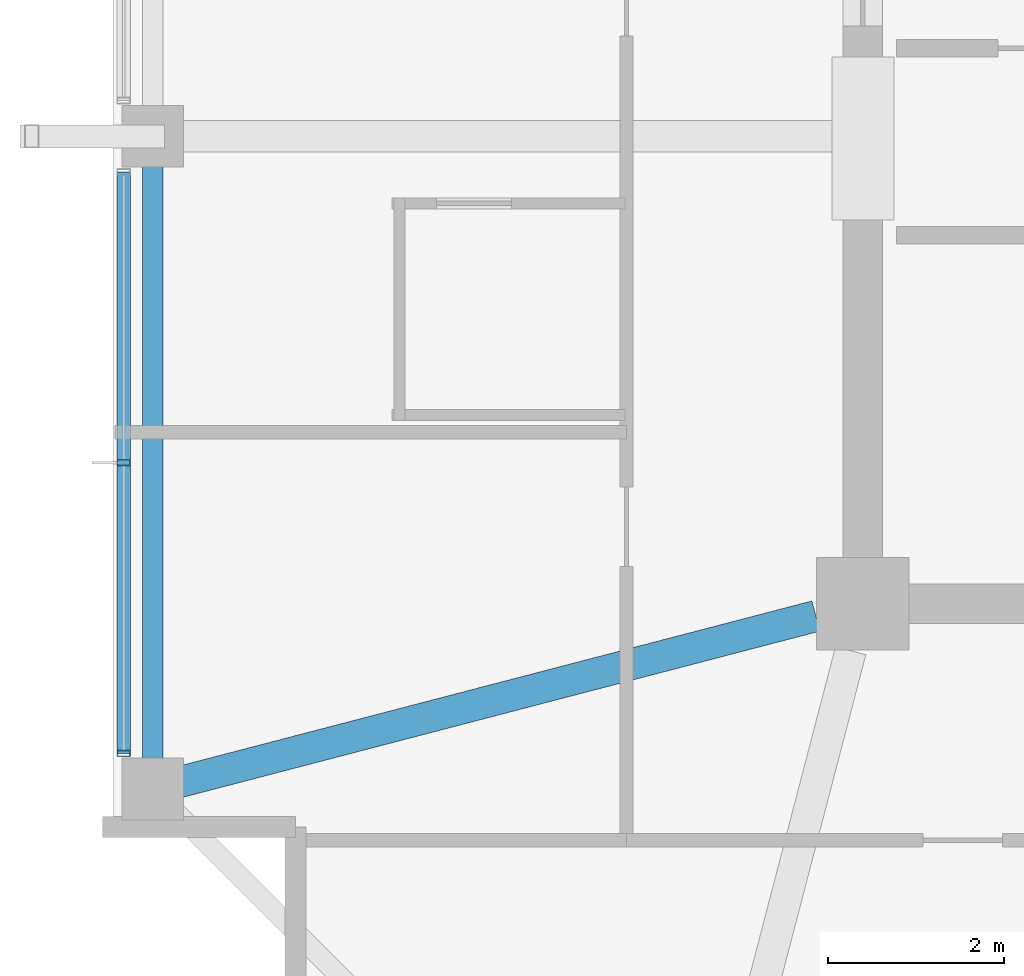
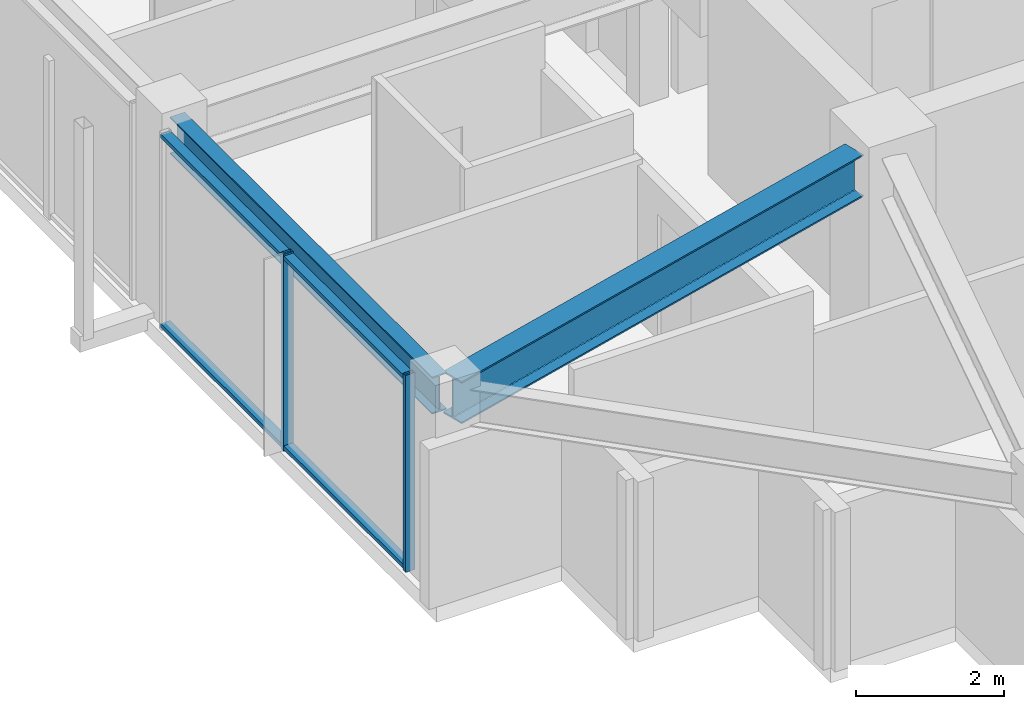
# One storey, part 4 of 31: 4 members, 2 beams, 1 element without a shape of its own.
"""IFC4 building model written with IfcOpenShell, lengths in metres."""

from ifc_helpers import new_model, si_unit, direction, frame, origin, origin_2d, place, context, subcontext, project, spatial, hollow_rectangle, i_section, extrude, material, material_profile, profile_set, type_object, element, aggregate, save


model = new_model("IFC4")

# Units and contexts
model_context = context("Model", 3, precision=1e-05, world=origin(), true_north=direction((0.0, 1.0)))
body_context = subcontext(model_context, "Body", "Model", "MODEL_VIEW")
ifc_project = project(units=[si_unit("LENGTHUNIT", "METRE"), si_unit("AREAUNIT", "SQUARE_METRE"), si_unit("VOLUMEUNIT", "CUBIC_METRE"), si_unit("PLANEANGLEUNIT", "RADIAN"), si_unit("MASSUNIT", "GRAM", prefix="KILO")], contexts=[model_context])

# Site, building, storey
site_placement = place(None, origin())
site = spatial("IfcSite", under=ifc_project, at=site_placement, CompositionType="ELEMENT")
building_placement = place(site_placement, origin())
building = spatial("IfcBuilding", under=site, at=building_placement, Name="Kolvaren Belvedere", CompositionType="ELEMENT")
storey_placement = place(building_placement, frame((0.0, 0.0, 247.89990234375)))
storey = spatial("IfcBuildingStorey", under=building, at=storey_placement, Name="L72", CompositionType="ELEMENT", Elevation=247.89990234375)

# Beams
ifc_material_1 = material(Name="Structural steel ASTM A992 Grade 50", Category="steel")
ifc_material_profile_1 = material_profile(ifc_material_1, i_section(OverallWidth=0.35498046875, OverallDepth=0.696044921875, WebThickness=0.015380859375, FlangeThickness=0.02490234375, FilletRadius=0.02197265625, at=origin_2d()), Name="W27X146")
ifc_profile_set_1 = profile_set([ifc_material_profile_1], Name="Structural steel ASTM A992 Grade 50")
beam_type_1 = type_object("IfcBeamType", Name="BM-GIRD-W27X146", PredefinedType="BEAM", material=ifc_profile_set_1)
beam_1_placement = place(storey_placement, frame((-10.43212890625, -10.038818359375, 2.902099609375), z_axis=(-0.967618631679, -0.25241668651, 0.0), x_axis=(0.25241668651, -0.967618631679, 0.0)))
element("IfcBeam", 1, at=beam_1_placement, inside=storey, type_object=beam_type_1, Name="L72 Corner Core-to-Perimeter Girder CC1-W1", PredefinedType="BEAM", context=body_context, shape_type="SweptSolid", body=[
    extrude(i_section(OverallWidth=0.35498046875, OverallDepth=0.696044921875, WebThickness=0.015380859375, FlangeThickness=0.02490234375, FilletRadius=0.02197265625, at=origin_2d()), origin(), (0.0, 0.0, 1.0), 7.62939453125),
])
ifc_material_2 = material(Name="Structural steel ASTM A992 Grade 50", Category="steel")
ifc_material_profile_2 = material_profile(ifc_material_2, i_section(OverallWidth=0.22900390625, OverallDepth=0.612060546875, WebThickness=0.011962890625, FlangeThickness=0.01953125, FilletRadius=0.01806640625, at=origin_2d()), Name="W24X84")
ifc_profile_set_2 = profile_set([ifc_material_profile_2], Name="Structural steel ASTM A992 Grade 50")
beam_type_2 = type_object("IfcBeamType", Name="BM-SPAN-W24X84", PredefinedType="SPANDREL", material=ifc_profile_set_2)
beam_2_placement = place(storey_placement, frame((-17.949951171875, -4.757568359375, 2.944091796875), z_axis=(0.0, -1.0, 0.0), x_axis=(1.0, 0.0, 0.0)))
element("IfcBeam", 2, at=beam_2_placement, inside=storey, type_object=beam_type_2, Name="L72 Perimeter Spandrel W2-W1", PredefinedType="SPANDREL", context=body_context, shape_type="SweptSolid", body=[
    extrude(i_section(OverallWidth=0.22900390625, OverallDepth=0.612060546875, WebThickness=0.011962890625, FlangeThickness=0.01953125, FilletRadius=0.01806640625, at=origin_2d()), origin(), (0.0, 0.0, 1.0), 7.0849609375),
])

# Curtain wall, members
ifc_material_3 = material(Name="Anodised pale-metal aluminium AA 6063-T6", Category="aluminium")
curtain_wall_type = type_object("IfcCurtainWallType", Name="CW-Z5-HIGH", PredefinedType="NOTDEFINED", material=ifc_material_3)
curtain_wall_placement = place(storey_placement, origin())
curtain_wall = element("IfcCurtainWall", 3, at=curtain_wall_placement, inside=storey, type_object=curtain_wall_type, Name="L72 Unitised Curtain Wall FCW-L72-W-B1", PredefinedType="NOTDEFINED")
ifc_material_4 = material(Name="Anodised pale-metal aluminium AA 6063-T6", Category="aluminium")
ifc_material_profile_3 = material_profile(ifc_material_4, hollow_rectangle(XDim=0.070068359375, YDim=0.14990234375, WallThickness=0.004150390625, at=origin_2d()), Name="ALU-MUL-150X70")
ifc_profile_set_3 = profile_set([ifc_material_profile_3], Name="Anodised pale-metal aluminium AA 6063-T6")
member_type_1 = type_object("IfcMemberType", Name="CW-MUL-150", PredefinedType="MULLION", material=ifc_profile_set_3)
member_1_placement = place(storey_placement, frame((-18.280029296875, -11.594970703125, 0.0), z_axis=(0.0, 0.0, 1.0), x_axis=(0.0, 1.0, 0.0)))
member_1 = element("IfcMember", 4, at=member_1_placement, type_object=member_type_1, Name="FCW-L72-W-B1 Unitised Mullion 1", PredefinedType="MULLION", context=body_context, shape_type="SweptSolid", body=[
    extrude(hollow_rectangle(XDim=0.070068359375, YDim=0.14990234375, WallThickness=0.004150390625, at=origin_2d()), origin(), (0.0, 0.0, 1.0), 3.25),
])
member_2_placement = place(storey_placement, frame((-18.280029296875, -8.300048828125, 0.0), z_axis=(0.0, 0.0, 1.0), x_axis=(0.0, 1.0, 0.0)))
member_2 = element("IfcMember", 5, at=member_2_placement, type_object=member_type_1, Name="FCW-L72-W-B1 Unitised Mullion 2", PredefinedType="MULLION", context=body_context, shape_type="SweptSolid", body=[
    extrude(hollow_rectangle(XDim=0.070068359375, YDim=0.14990234375, WallThickness=0.004150390625, at=origin_2d()), origin(), (0.0, 0.0, 1.0), 3.25),
])
ifc_material_5 = material(Name="Anodised pale-metal aluminium AA 6063-T6", Category="aluminium")
ifc_material_profile_4 = material_profile(ifc_material_5, hollow_rectangle(XDim=0.06494140625, YDim=0.14990234375, WallThickness=0.00390625, at=origin_2d()), Name="ALU-TRN-150X65")
ifc_profile_set_4 = profile_set([ifc_material_profile_4], Name="Anodised pale-metal aluminium AA 6063-T6")
member_type_2 = type_object("IfcMemberType", Name="CW-TRN-150", PredefinedType="USERDEFINED", material=ifc_profile_set_4)
member_3_placement = place(storey_placement, frame((-18.280029296875, -11.594970703125, 0.06005859375), z_axis=(0.0, 1.0, 0.0), x_axis=(0.0, 0.0, 1.0)))
member_3 = element("IfcMember", 6, at=member_3_placement, type_object=member_type_2, Name="FCW-L72-W-B1 Sill Transom", ObjectType="TRANSOM", PredefinedType="USERDEFINED", context=body_context, shape_type="SweptSolid", body=[
    extrude(hollow_rectangle(XDim=0.06494140625, YDim=0.14990234375, WallThickness=0.00390625, at=origin_2d()), origin(), (0.0, 0.0, 1.0), 6.590087890625),
])
member_4_placement = place(storey_placement, frame((-18.280029296875, -11.594970703125, 3.190185546875), z_axis=(0.0, 1.0, 0.0), x_axis=(0.0, 0.0, 1.0)))
member_4 = element("IfcMember", 7, at=member_4_placement, type_object=member_type_2, Name="FCW-L72-W-B1 Head Transom", ObjectType="TRANSOM", PredefinedType="USERDEFINED", context=body_context, shape_type="SweptSolid", body=[
    extrude(hollow_rectangle(XDim=0.06494140625, YDim=0.14990234375, WallThickness=0.00390625, at=origin_2d()), origin(), (0.0, 0.0, 1.0), 6.590087890625),
])
aggregate(curtain_wall, [member_1, member_2, member_3, member_4])

save(model, "model.ifc")
